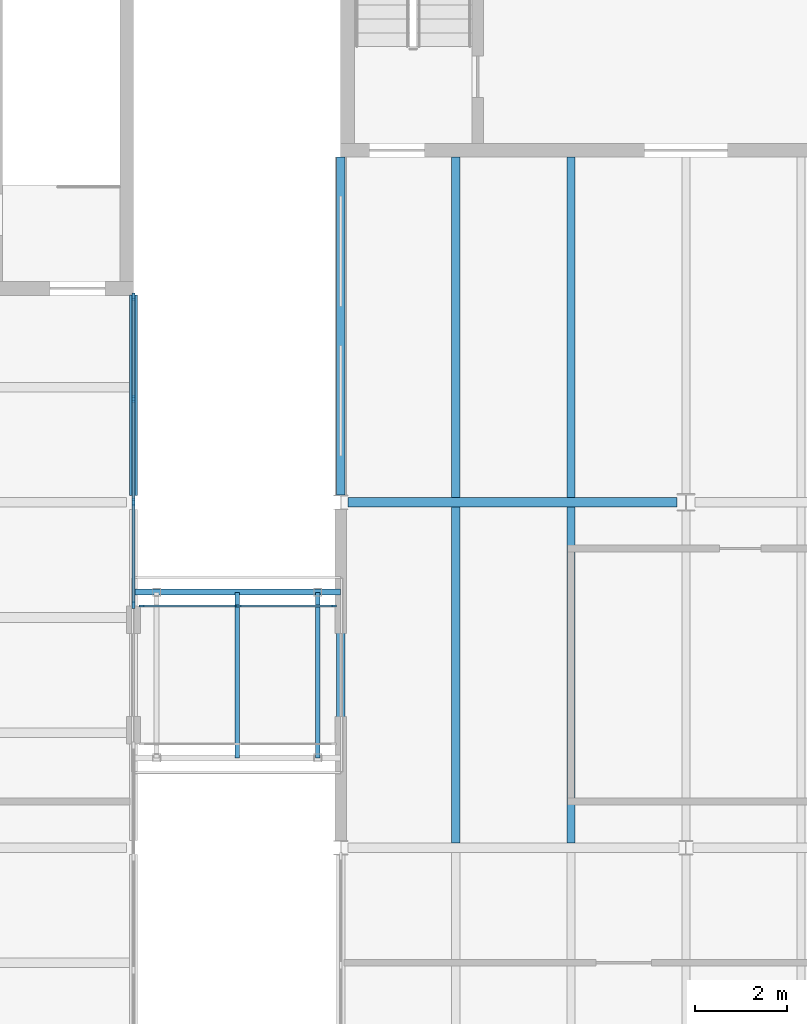
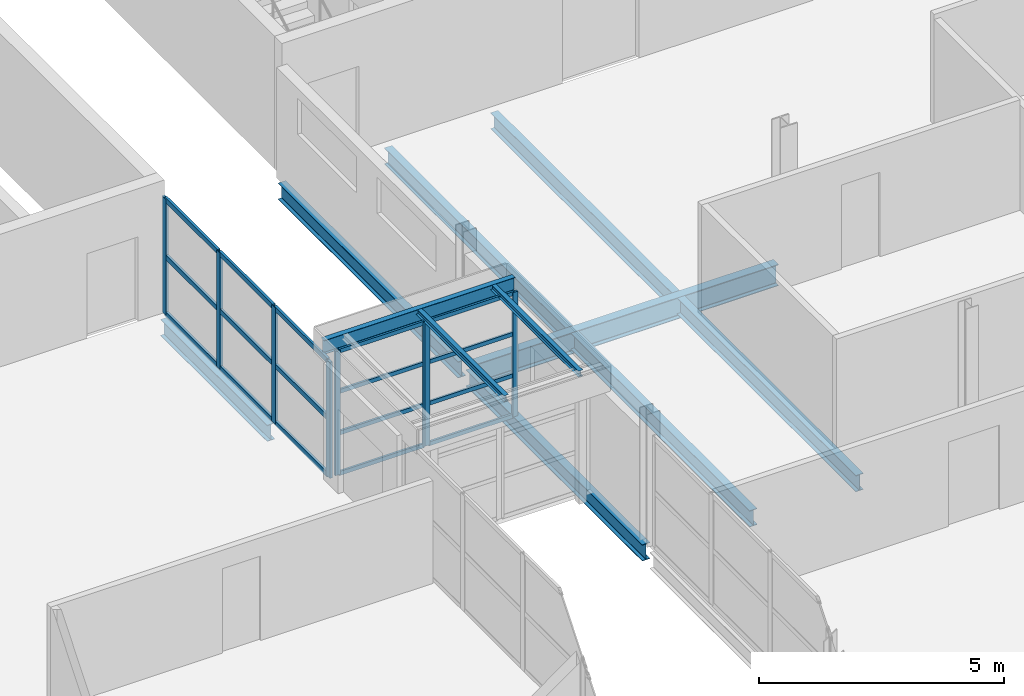
# One storey, part 42 of 214: 27 members, 9 beams, 3 elements without a shape of their own.
"""IFC4 building model written with IfcOpenShell, lengths in metres."""

from ifc_helpers import new_model, si_unit, direction, frame, origin, origin_2d, place, context, subcontext, project, spatial, rectangle, i_section, extrude, material, material_profile, profile_set, type_object, element, aggregate, save


model = new_model("IFC4")

# Units and contexts
model_context = context("Model", 3, precision=1e-05, world=origin(), true_north=direction((0.0, 1.0)))
body_context = subcontext(model_context, "Body", "Model", "MODEL_VIEW")
ifc_project = project(units=[si_unit("LENGTHUNIT", "METRE"), si_unit("AREAUNIT", "SQUARE_METRE"), si_unit("VOLUMEUNIT", "CUBIC_METRE"), si_unit("PLANEANGLEUNIT", "RADIAN"), si_unit("MASSUNIT", "GRAM", prefix="KILO")], contexts=[model_context])

# Site, building, storey
site_placement = place(None, origin())
site = spatial("IfcSite", under=ifc_project, at=site_placement, CompositionType="ELEMENT")
building_placement = place(site_placement, origin())
building = spatial("IfcBuilding", under=site, at=building_placement, Name="Parallax Yard Mobility Hub", CompositionType="ELEMENT")
storey_placement = place(building_placement, frame((0.0, 0.0, 3.300048828125)))
storey = spatial("IfcBuildingStorey", under=building, at=storey_placement, Name="L01", CompositionType="ELEMENT", Elevation=3.300048828125)

# Members
ifc_material_1 = material(Name="Steel ASTM A992", Category="steel")
ifc_material_profile_1 = material_profile(ifc_material_1, i_section(OverallWidth=0.10205078125, OverallDepth=0.153076171875, WebThickness=0.005859375, FlangeThickness=0.007080078125, at=origin_2d()), Name="W150x18")
ifc_profile_set_1 = profile_set([ifc_material_profile_1], Name="Steel ASTM A992")
member_type_1 = type_object("IfcMemberType", Name="Bridge cross rafter W150x18", PredefinedType="RAFTER", material=ifc_profile_set_1)
for number, where, z_axis, x_axis, name in (
    (1, (95.25, 31.952880859375, 3.17236328125), (0.0, 1.0, 0.0), (-1.0, 0.0, 0.0), "Bridge BR1 level L01 cross rafter 2"),
    (2, (97.0, 31.952880859375, 3.17236328125), (0.0, 1.0, 0.0), (-1.0, 0.0, 0.0), "Bridge BR1 level L01 cross rafter 3"),
):
    element("IfcMember", number, at=place(storey_placement, frame(where, z_axis=z_axis, x_axis=x_axis)), inside=storey, type_object=member_type_1, Name=name, PredefinedType="RAFTER", context=body_context, shape_type="SweptSolid", body=[
        extrude(i_section(OverallWidth=0.10205078125, OverallDepth=0.153076171875, WebThickness=0.005859375, FlangeThickness=0.007080078125, at=origin_2d()), origin(), (0.0, 0.0, 1.0), 3.59423828125),
    ])

# Beam
ifc_material_profile_2 = material_profile(ifc_material_1, i_section(OverallWidth=0.126953125, OverallDepth=0.34912109375, WebThickness=0.005859375, FlangeThickness=0.008544921875, at=origin_2d()), Name="W360x33")
ifc_profile_set_2 = profile_set([ifc_material_profile_2], Name="Steel ASTM A992")
beam_type_1 = type_object("IfcBeamType", Name="Bridge roof beam W360x33", PredefinedType="BEAM", material=ifc_profile_set_2)
beam_1_placement = place(storey_placement, frame((93.0, 35.550048828125, 3.074462890625), z_axis=(1.0, 0.0, 0.0), x_axis=(0.0, 1.0, 0.0)))
element("IfcBeam", 3, at=beam_1_placement, inside=storey, type_object=beam_type_1, Name="Bridge BR1 level L01 roof beam at y 35.55", PredefinedType="BEAM", context=body_context, shape_type="SweptSolid", body=[
    extrude(i_section(OverallWidth=0.126953125, OverallDepth=0.34912109375, WebThickness=0.005859375, FlangeThickness=0.008544921875, at=origin_2d()), origin(), (0.0, 0.0, 1.0), 4.5),
])

# Curtain wall, members
ifc_material_2 = material(Name="Thermally broken aluminium curtain wall system", Category="aluminium")
curtain_wall_type_1 = type_object("IfcCurtainWallType", Name="Bridge curtain wall run 50 x 120 frame", PredefinedType="NOTDEFINED", material=ifc_material_2)
curtain_wall_1_placement = place(storey_placement, origin())
curtain_wall_1 = element("IfcCurtainWall", 4, at=curtain_wall_1_placement, inside=storey, type_object=curtain_wall_type_1, Name="Curtain wall run bridge BR1 north side level L01", PredefinedType="NOTDEFINED")
ifc_material_3 = material(Name="Extruded aluminium", Category="aluminium")
ifc_material_profile_3 = material_profile(ifc_material_3, rectangle(XDim=0.050048828125, YDim=0.1201171875, at=origin_2d()), Name="Mullion 50 x 120")
ifc_profile_set_3 = profile_set([ifc_material_profile_3], Name="Extruded aluminium")
member_type_2 = type_object("IfcMemberType", Name="Mullion 50 x 120", PredefinedType="MULLION", material=ifc_profile_set_3)
member_1_placement = place(storey_placement, frame((93.175048828125, 35.25, 0.0), z_axis=(0.0, 0.0, 1.0), x_axis=(0.0, 1.0, 0.0)))
member_1 = element("IfcMember", 5, at=member_1_placement, type_object=member_type_2, Name="CW2 mullion 1", PredefinedType="MULLION", context=body_context, shape_type="SweptSolid", body=[
    extrude(rectangle(XDim=0.050048828125, YDim=0.1201171875, at=origin_2d()), origin(), (0.0, 0.0, 1.0), 3.095947265625),
])
member_2_placement = place(storey_placement, frame((95.237548828125, 35.25, 0.0), z_axis=(0.0, 0.0, 1.0), x_axis=(0.0, 1.0, 0.0)))
member_2 = element("IfcMember", 6, at=member_2_placement, type_object=member_type_2, Name="CW2 mullion 2", PredefinedType="MULLION", context=body_context, shape_type="SweptSolid", body=[
    extrude(rectangle(XDim=0.050048828125, YDim=0.1201171875, at=origin_2d()), origin(), (0.0, 0.0, 1.0), 3.095947265625),
])

curtain_wall_2_placement = place(storey_placement, origin())
curtain_wall_2 = element("IfcCurtainWall", 7, at=curtain_wall_2_placement, inside=storey, type_object=curtain_wall_type_1, Name="Curtain wall run bridge BR1 north side level L01", PredefinedType="NOTDEFINED")
member_3_placement = place(storey_placement, frame((95.28759765625, 35.25, 0.0), z_axis=(0.0, 0.0, 1.0), x_axis=(0.0, 1.0, 0.0)))
member_3 = element("IfcMember", 8, at=member_3_placement, type_object=member_type_2, Name="CW2 mullion 1", PredefinedType="MULLION", context=body_context, shape_type="SweptSolid", body=[
    extrude(rectangle(XDim=0.050048828125, YDim=0.1201171875, at=origin_2d()), origin(), (0.0, 0.0, 1.0), 3.095947265625),
])
member_4_placement = place(storey_placement, frame((97.35009765625, 35.25, 0.0), z_axis=(0.0, 0.0, 1.0), x_axis=(0.0, 1.0, 0.0)))
member_4 = element("IfcMember", 9, at=member_4_placement, type_object=member_type_2, Name="CW2 mullion 2", PredefinedType="MULLION", context=body_context, shape_type="SweptSolid", body=[
    extrude(rectangle(XDim=0.050048828125, YDim=0.1201171875, at=origin_2d()), origin(), (0.0, 0.0, 1.0), 3.095947265625),
])

curtain_wall_type_2 = type_object("IfcCurtainWallType", Name="Curtain wall run 60 x 160 frame", PredefinedType="NOTDEFINED", material=ifc_material_2)
curtain_wall_3_placement = place(storey_placement, origin())
curtain_wall_3 = element("IfcCurtainWall", 10, at=curtain_wall_3_placement, inside=storey, type_object=curtain_wall_type_2, Name="Curtain wall run Bus and taxi deck east end bay 1 level L01", PredefinedType="NOTDEFINED")
ifc_material_profile_4 = material_profile(ifc_material_3, rectangle(XDim=0.06005859375, YDim=0.159912109375, at=origin_2d()), Name="Mullion 60 x 160")
ifc_profile_set_4 = profile_set([ifc_material_profile_4], Name="Extruded aluminium")
member_type_3 = type_object("IfcMemberType", Name="Mullion 60 x 160", PredefinedType="MULLION", material=ifc_profile_set_4)
member_5_placement = place(storey_placement, frame((93.0, 35.280029296875, 0.0), z_axis=(0.0, 0.0, 1.0), x_axis=(-1.0, 0.0, 0.0)))
member_5 = element("IfcMember", 11, at=member_5_placement, type_object=member_type_3, Name="CW1 mullion 1", PredefinedType="MULLION", context=body_context, shape_type="SweptSolid", body=[
    extrude(rectangle(XDim=0.06005859375, YDim=0.159912109375, at=origin_2d()), origin(), (0.0, 0.0, 1.0), 2.89404296875),
])
member_6_placement = place(storey_placement, frame((93.0, 37.5, 0.0), z_axis=(0.0, 0.0, 1.0), x_axis=(-1.0, 0.0, 0.0)))
member_6 = element("IfcMember", 12, at=member_6_placement, type_object=member_type_3, Name="CW1 mullion 2", PredefinedType="MULLION", context=body_context, shape_type="SweptSolid", body=[
    extrude(rectangle(XDim=0.06005859375, YDim=0.159912109375, at=origin_2d()), origin(), (0.0, 0.0, 1.0), 2.89404296875),
])
member_7_placement = place(storey_placement, frame((93.0, 39.75, 0.0), z_axis=(0.0, 0.0, 1.0), x_axis=(-1.0, 0.0, 0.0)))
member_7 = element("IfcMember", 13, at=member_7_placement, type_object=member_type_3, Name="CW1 mullion 3", PredefinedType="MULLION", context=body_context, shape_type="SweptSolid", body=[
    extrude(rectangle(XDim=0.06005859375, YDim=0.159912109375, at=origin_2d()), origin(), (0.0, 0.0, 1.0), 2.89404296875),
])
member_8_placement = place(storey_placement, frame((93.0, 41.969970703125, 0.0), z_axis=(0.0, 0.0, 1.0), x_axis=(-1.0, 0.0, 0.0)))
member_8 = element("IfcMember", 14, at=member_8_placement, type_object=member_type_3, Name="CW1 mullion 4", PredefinedType="MULLION", context=body_context, shape_type="SweptSolid", body=[
    extrude(rectangle(XDim=0.06005859375, YDim=0.159912109375, at=origin_2d()), origin(), (0.0, 0.0, 1.0), 2.89404296875),
])

# Member
ifc_material_profile_5 = material_profile(ifc_material_3, rectangle(XDim=0.050048828125, YDim=0.10009765625, at=origin_2d()), Name="Transom 50 x 100")
ifc_profile_set_5 = profile_set([ifc_material_profile_5], Name="Extruded aluminium")
member_type_4 = type_object("IfcMemberType", Name="Transom 50 x 100", PredefinedType="USERDEFINED", material=ifc_profile_set_5)
member_9_placement = place(storey_placement, frame((93.199951171875, 35.25, 0.02490234375), z_axis=(1.0, 0.0, 0.0), x_axis=(0.0, 1.0, 0.0)))
member_9 = element("IfcMember", 15, at=member_9_placement, type_object=member_type_4, Name="CW2 transom 1.1", ObjectType="TRANSOM", PredefinedType="USERDEFINED", context=body_context, shape_type="SweptSolid", body=[
    extrude(rectangle(XDim=0.050048828125, YDim=0.10009765625, at=origin_2d()), origin(), (0.0, 0.0, 1.0), 2.012451171875),
])

member_10_placement = place(storey_placement, frame((93.199951171875, 35.25, 1.031982421875), z_axis=(1.0, 0.0, 0.0), x_axis=(0.0, 1.0, 0.0)))
member_10 = element("IfcMember", 16, at=member_10_placement, type_object=member_type_4, Name="CW2 transom 1.2", ObjectType="TRANSOM", PredefinedType="USERDEFINED", context=body_context, shape_type="SweptSolid", body=[
    extrude(rectangle(XDim=0.050048828125, YDim=0.10009765625, at=origin_2d()), origin(), (0.0, 0.0, 1.0), 2.012451171875),
])

member_11_placement = place(storey_placement, frame((93.199951171875, 35.25, 2.06396484375), z_axis=(1.0, 0.0, 0.0), x_axis=(0.0, 1.0, 0.0)))
member_11 = element("IfcMember", 17, at=member_11_placement, type_object=member_type_4, Name="CW2 transom 1.3", ObjectType="TRANSOM", PredefinedType="USERDEFINED", context=body_context, shape_type="SweptSolid", body=[
    extrude(rectangle(XDim=0.050048828125, YDim=0.10009765625, at=origin_2d()), origin(), (0.0, 0.0, 1.0), 2.012451171875),
])

member_12_placement = place(storey_placement, frame((93.199951171875, 35.25, 3.071044921875), z_axis=(1.0, 0.0, 0.0), x_axis=(0.0, 1.0, 0.0)))
member_12 = element("IfcMember", 18, at=member_12_placement, type_object=member_type_4, Name="CW2 transom 1.4", ObjectType="TRANSOM", PredefinedType="USERDEFINED", context=body_context, shape_type="SweptSolid", body=[
    extrude(rectangle(XDim=0.050048828125, YDim=0.10009765625, at=origin_2d()), origin(), (0.0, 0.0, 1.0), 2.012451171875),
])

aggregate(curtain_wall_1, [member_1, member_2, member_9, member_10, member_11, member_12])

member_13_placement = place(storey_placement, frame((95.3125, 35.25, 0.02490234375), z_axis=(1.0, 0.0, 0.0), x_axis=(0.0, 1.0, 0.0)))
member_13 = element("IfcMember", 19, at=member_13_placement, type_object=member_type_4, Name="CW2 transom 1.1", ObjectType="TRANSOM", PredefinedType="USERDEFINED", context=body_context, shape_type="SweptSolid", body=[
    extrude(rectangle(XDim=0.050048828125, YDim=0.10009765625, at=origin_2d()), origin(), (0.0, 0.0, 1.0), 2.012451171875),
])

member_14_placement = place(storey_placement, frame((95.3125, 35.25, 1.031982421875), z_axis=(1.0, 0.0, 0.0), x_axis=(0.0, 1.0, 0.0)))
member_14 = element("IfcMember", 20, at=member_14_placement, type_object=member_type_4, Name="CW2 transom 1.2", ObjectType="TRANSOM", PredefinedType="USERDEFINED", context=body_context, shape_type="SweptSolid", body=[
    extrude(rectangle(XDim=0.050048828125, YDim=0.10009765625, at=origin_2d()), origin(), (0.0, 0.0, 1.0), 2.012451171875),
])

member_15_placement = place(storey_placement, frame((95.3125, 35.25, 2.06396484375), z_axis=(1.0, 0.0, 0.0), x_axis=(0.0, 1.0, 0.0)))
member_15 = element("IfcMember", 21, at=member_15_placement, type_object=member_type_4, Name="CW2 transom 1.3", ObjectType="TRANSOM", PredefinedType="USERDEFINED", context=body_context, shape_type="SweptSolid", body=[
    extrude(rectangle(XDim=0.050048828125, YDim=0.10009765625, at=origin_2d()), origin(), (0.0, 0.0, 1.0), 2.012451171875),
])

member_16_placement = place(storey_placement, frame((95.3125, 35.25, 3.071044921875), z_axis=(1.0, 0.0, 0.0), x_axis=(0.0, 1.0, 0.0)))
member_16 = element("IfcMember", 22, at=member_16_placement, type_object=member_type_4, Name="CW2 transom 1.4", ObjectType="TRANSOM", PredefinedType="USERDEFINED", context=body_context, shape_type="SweptSolid", body=[
    extrude(rectangle(XDim=0.050048828125, YDim=0.10009765625, at=origin_2d()), origin(), (0.0, 0.0, 1.0), 2.012451171875),
])

aggregate(curtain_wall_2, [member_3, member_4, member_13, member_14, member_15, member_16])

ifc_material_profile_6 = material_profile(ifc_material_3, rectangle(XDim=0.06005859375, YDim=0.1201171875, at=origin_2d()), Name="Transom 60 x 120")
ifc_profile_set_6 = profile_set([ifc_material_profile_6], Name="Extruded aluminium")
member_type_5 = type_object("IfcMemberType", Name="Transom 60 x 120", PredefinedType="USERDEFINED", material=ifc_profile_set_6)
member_17_placement = place(storey_placement, frame((93.0, 35.31005859375, 0.030029296875), z_axis=(0.0, 1.0, 0.0), x_axis=(-1.0, 0.0, 0.0)))
member_17 = element("IfcMember", 23, at=member_17_placement, type_object=member_type_5, Name="CW1 transom 1.1", ObjectType="TRANSOM", PredefinedType="USERDEFINED", context=body_context, shape_type="SweptSolid", body=[
    extrude(rectangle(XDim=0.06005859375, YDim=0.1201171875, at=origin_2d()), origin(), (0.0, 0.0, 1.0), 2.159912109375),
])

member_18_placement = place(storey_placement, frame((93.0, 35.31005859375, 1.447021484375), z_axis=(0.0, 1.0, 0.0), x_axis=(-1.0, 0.0, 0.0)))
member_18 = element("IfcMember", 24, at=member_18_placement, type_object=member_type_5, Name="CW1 transom 1.2", ObjectType="TRANSOM", PredefinedType="USERDEFINED", context=body_context, shape_type="SweptSolid", body=[
    extrude(rectangle(XDim=0.06005859375, YDim=0.1201171875, at=origin_2d()), origin(), (0.0, 0.0, 1.0), 2.159912109375),
])

member_19_placement = place(storey_placement, frame((93.0, 35.31005859375, 2.864013671875), z_axis=(0.0, 1.0, 0.0), x_axis=(-1.0, 0.0, 0.0)))
member_19 = element("IfcMember", 25, at=member_19_placement, type_object=member_type_5, Name="CW1 transom 1.3", ObjectType="TRANSOM", PredefinedType="USERDEFINED", context=body_context, shape_type="SweptSolid", body=[
    extrude(rectangle(XDim=0.06005859375, YDim=0.1201171875, at=origin_2d()), origin(), (0.0, 0.0, 1.0), 2.159912109375),
])

member_20_placement = place(storey_placement, frame((93.0, 37.530029296875, 0.030029296875), z_axis=(0.0, 1.0, 0.0), x_axis=(-1.0, 0.0, 0.0)))
member_20 = element("IfcMember", 26, at=member_20_placement, type_object=member_type_5, Name="CW1 transom 2.1", ObjectType="TRANSOM", PredefinedType="USERDEFINED", context=body_context, shape_type="SweptSolid", body=[
    extrude(rectangle(XDim=0.06005859375, YDim=0.1201171875, at=origin_2d()), origin(), (0.0, 0.0, 1.0), 2.18994140625),
])

member_21_placement = place(storey_placement, frame((93.0, 37.530029296875, 1.447021484375), z_axis=(0.0, 1.0, 0.0), x_axis=(-1.0, 0.0, 0.0)))
member_21 = element("IfcMember", 27, at=member_21_placement, type_object=member_type_5, Name="CW1 transom 2.2", ObjectType="TRANSOM", PredefinedType="USERDEFINED", context=body_context, shape_type="SweptSolid", body=[
    extrude(rectangle(XDim=0.06005859375, YDim=0.1201171875, at=origin_2d()), origin(), (0.0, 0.0, 1.0), 2.18994140625),
])

member_22_placement = place(storey_placement, frame((93.0, 37.530029296875, 2.864013671875), z_axis=(0.0, 1.0, 0.0), x_axis=(-1.0, 0.0, 0.0)))
member_22 = element("IfcMember", 28, at=member_22_placement, type_object=member_type_5, Name="CW1 transom 2.3", ObjectType="TRANSOM", PredefinedType="USERDEFINED", context=body_context, shape_type="SweptSolid", body=[
    extrude(rectangle(XDim=0.06005859375, YDim=0.1201171875, at=origin_2d()), origin(), (0.0, 0.0, 1.0), 2.18994140625),
])

member_23_placement = place(storey_placement, frame((93.0, 39.780029296875, 0.030029296875), z_axis=(0.0, 1.0, 0.0), x_axis=(-1.0, 0.0, 0.0)))
member_23 = element("IfcMember", 29, at=member_23_placement, type_object=member_type_5, Name="CW1 transom 3.1", ObjectType="TRANSOM", PredefinedType="USERDEFINED", context=body_context, shape_type="SweptSolid", body=[
    extrude(rectangle(XDim=0.06005859375, YDim=0.1201171875, at=origin_2d()), origin(), (0.0, 0.0, 1.0), 2.159912109375),
])

member_24_placement = place(storey_placement, frame((93.0, 39.780029296875, 1.447021484375), z_axis=(0.0, 1.0, 0.0), x_axis=(-1.0, 0.0, 0.0)))
member_24 = element("IfcMember", 30, at=member_24_placement, type_object=member_type_5, Name="CW1 transom 3.2", ObjectType="TRANSOM", PredefinedType="USERDEFINED", context=body_context, shape_type="SweptSolid", body=[
    extrude(rectangle(XDim=0.06005859375, YDim=0.1201171875, at=origin_2d()), origin(), (0.0, 0.0, 1.0), 2.159912109375),
])

member_25_placement = place(storey_placement, frame((93.0, 39.780029296875, 2.864013671875), z_axis=(0.0, 1.0, 0.0), x_axis=(-1.0, 0.0, 0.0)))
member_25 = element("IfcMember", 31, at=member_25_placement, type_object=member_type_5, Name="CW1 transom 3.3", ObjectType="TRANSOM", PredefinedType="USERDEFINED", context=body_context, shape_type="SweptSolid", body=[
    extrude(rectangle(XDim=0.06005859375, YDim=0.1201171875, at=origin_2d()), origin(), (0.0, 0.0, 1.0), 2.159912109375),
])

aggregate(curtain_wall_3, [member_5, member_6, member_7, member_8, member_17, member_18, member_19, member_20, member_21, member_22, member_23, member_24, member_25])

# Beams
ifc_material_profile_7 = material_profile(ifc_material_1, i_section(OverallWidth=0.177978515625, OverallDepth=0.406005859375, WebThickness=0.0078125, FlangeThickness=0.0126953125, FilletRadius=0.01025390625, at=origin_2d()), Name="W410x60")
ifc_profile_set_7 = profile_set([ifc_material_profile_7], Name="Steel ASTM A992")
beam_type_2 = type_object("IfcBeamType", Name="W410x60 edge beam", PredefinedType="SPANDREL", material=ifc_profile_set_7)
beam_2_placement = place(storey_placement, frame((93.0, 37.653564453125, -0.343017578125), z_axis=(0.0, 1.0, 0.0), x_axis=(-1.0, 0.0, 0.0)))
element("IfcBeam", 32, at=beam_2_placement, inside=storey, type_object=beam_type_2, Name="Edge beam SB1 level L01, fold line F15 of bus and taxi deck, span 5", PredefinedType="SPANDREL", context=body_context, shape_type="SweptSolid", body=[
    extrude(i_section(OverallWidth=0.177978515625, OverallDepth=0.406005859375, WebThickness=0.0078125, FlangeThickness=0.0126953125, FilletRadius=0.01025390625, at=origin_2d()), origin(), (0.0, 0.0, 1.0), 4.346435546875),
])
ifc_material_profile_8 = material_profile(ifc_material_1, i_section(OverallWidth=0.177978515625, OverallDepth=0.406005859375, WebThickness=0.0078125, FlangeThickness=0.0126953125, FilletRadius=0.01025390625, at=origin_2d()), Name="W410x60")
ifc_profile_set_8 = profile_set([ifc_material_profile_8], Name="Steel ASTM A992")
beam_type_3 = type_object("IfcBeamType", Name="W410x60 secondary beam", PredefinedType="JOIST", material=ifc_profile_set_8)
beam_3_placement = place(storey_placement, frame((100.0, 30.1044921875, -0.343017578125), z_axis=(0.0, 1.0, 0.0), x_axis=(-1.0, 0.0, 0.0)))
element("IfcBeam", 33, at=beam_3_placement, inside=storey, type_object=beam_type_3, Name="Secondary beam B1 level L01, 2.5 m east of line 14 of mobility service centre and workshops, span 4", PredefinedType="JOIST", context=body_context, shape_type="SweptSolid", body=[
    extrude(i_section(OverallWidth=0.177978515625, OverallDepth=0.406005859375, WebThickness=0.0078125, FlangeThickness=0.0126953125, FilletRadius=0.01025390625, at=origin_2d()), origin(), (0.0, 0.0, 1.0), 7.291015625),
])
beam_4_placement = place(storey_placement, frame((100.0, 37.6044921875, -0.343017578125), z_axis=(0.0, 1.0, 0.0), x_axis=(-1.0, 0.0, 0.0)))
element("IfcBeam", 34, at=beam_4_placement, inside=storey, type_object=beam_type_3, Name="Secondary beam B1 level L01, 2.5 m east of line 14 of mobility service centre and workshops, span 5", PredefinedType="JOIST", context=body_context, shape_type="SweptSolid", body=[
    extrude(i_section(OverallWidth=0.177978515625, OverallDepth=0.406005859375, WebThickness=0.0078125, FlangeThickness=0.0126953125, FilletRadius=0.01025390625, at=origin_2d()), origin(), (0.0, 0.0, 1.0), 7.3955078125),
])
beam_5_placement = place(storey_placement, frame((102.5, 30.1044921875, -0.343017578125), z_axis=(0.0, 1.0, 0.0), x_axis=(-1.0, 0.0, 0.0)))
element("IfcBeam", 35, at=beam_5_placement, inside=storey, type_object=beam_type_3, Name="Secondary beam B1 level L01, 5 m east of line 14 of mobility service centre and workshops, span 4", PredefinedType="JOIST", context=body_context, shape_type="SweptSolid", body=[
    extrude(i_section(OverallWidth=0.177978515625, OverallDepth=0.406005859375, WebThickness=0.0078125, FlangeThickness=0.0126953125, FilletRadius=0.01025390625, at=origin_2d()), origin(), (0.0, 0.0, 1.0), 7.291015625),
])
beam_6_placement = place(storey_placement, frame((102.5, 37.6044921875, -0.343017578125), z_axis=(0.0, 1.0, 0.0), x_axis=(-1.0, 0.0, 0.0)))
element("IfcBeam", 36, at=beam_6_placement, inside=storey, type_object=beam_type_3, Name="Secondary beam B1 level L01, 5 m east of line 14 of mobility service centre and workshops, span 5", PredefinedType="JOIST", context=body_context, shape_type="SweptSolid", body=[
    extrude(i_section(OverallWidth=0.177978515625, OverallDepth=0.406005859375, WebThickness=0.0078125, FlangeThickness=0.0126953125, FilletRadius=0.01025390625, at=origin_2d()), origin(), (0.0, 0.0, 1.0), 7.3955078125),
])
ifc_material_profile_9 = material_profile(ifc_material_1, i_section(OverallWidth=0.178955078125, OverallDepth=0.408935546875, WebThickness=0.0087890625, FlangeThickness=0.014404296875, FilletRadius=0.01025390625, at=origin_2d()), Name="W410x67")
ifc_profile_set_9 = profile_set([ifc_material_profile_9], Name="Steel ASTM A992")
beam_type_4 = type_object("IfcBeamType", Name="W410x67 edge beam", PredefinedType="SPANDREL", material=ifc_profile_set_9)
beam_7_placement = place(storey_placement, frame((97.5, 30.153564453125, -0.344482421875), z_axis=(0.0, 1.0, 0.0), x_axis=(-1.0, 0.0, 0.0)))
element("IfcBeam", 37, at=beam_7_placement, inside=storey, type_object=beam_type_4, Name="Edge beam SB3 level L01, line 14 of mobility service centre and workshops, span 4", PredefinedType="SPANDREL", context=body_context, shape_type="SweptSolid", body=[
    extrude(i_section(OverallWidth=0.178955078125, OverallDepth=0.408935546875, WebThickness=0.0087890625, FlangeThickness=0.014404296875, FilletRadius=0.01025390625, at=origin_2d()), origin(), (0.0, 0.0, 1.0), 7.184814453125),
])
beam_8_placement = place(storey_placement, frame((97.5, 37.66162109375, -0.344482421875), z_axis=(0.0, 1.0, 0.0), x_axis=(-1.0, 0.0, 0.0)))
element("IfcBeam", 38, at=beam_8_placement, inside=storey, type_object=beam_type_4, Name="Edge beam SB3 level L01, line 14 of mobility service centre and workshops, span 5", PredefinedType="SPANDREL", context=body_context, shape_type="SweptSolid", body=[
    extrude(i_section(OverallWidth=0.178955078125, OverallDepth=0.408935546875, WebThickness=0.0087890625, FlangeThickness=0.014404296875, FilletRadius=0.01025390625, at=origin_2d()), origin(), (0.0, 0.0, 1.0), 7.33837890625),
])
ifc_material_profile_10 = material_profile(ifc_material_1, i_section(OverallWidth=0.208984375, OverallDepth=0.532958984375, WebThickness=0.01025390625, FlangeThickness=0.015625, FilletRadius=0.0126953125, at=origin_2d()), Name="W530x92")
ifc_profile_set_10 = profile_set([ifc_material_profile_10], Name="Steel ASTM A992")
beam_type_5 = type_object("IfcBeamType", Name="W530x92 longitudinal beam", PredefinedType="BEAM", material=ifc_profile_set_10)
beam_9_placement = place(storey_placement, frame((97.655029296875, 37.5, -0.406494140625), z_axis=(1.0, 0.0, 0.0), x_axis=(0.0, 1.0, 0.0)))
element("IfcBeam", 39, at=beam_9_placement, inside=storey, type_object=beam_type_5, Name="Longitudinal beam SB6 level L01, line F of mobility service centre and workshops, span 1", PredefinedType="BEAM", context=body_context, shape_type="SweptSolid", body=[
    extrude(i_section(OverallWidth=0.208984375, OverallDepth=0.532958984375, WebThickness=0.01025390625, FlangeThickness=0.015625, FilletRadius=0.0126953125, at=origin_2d()), origin(), (0.0, 0.0, 1.0), 7.14697265625),
])

save(model, "model.ifc")
